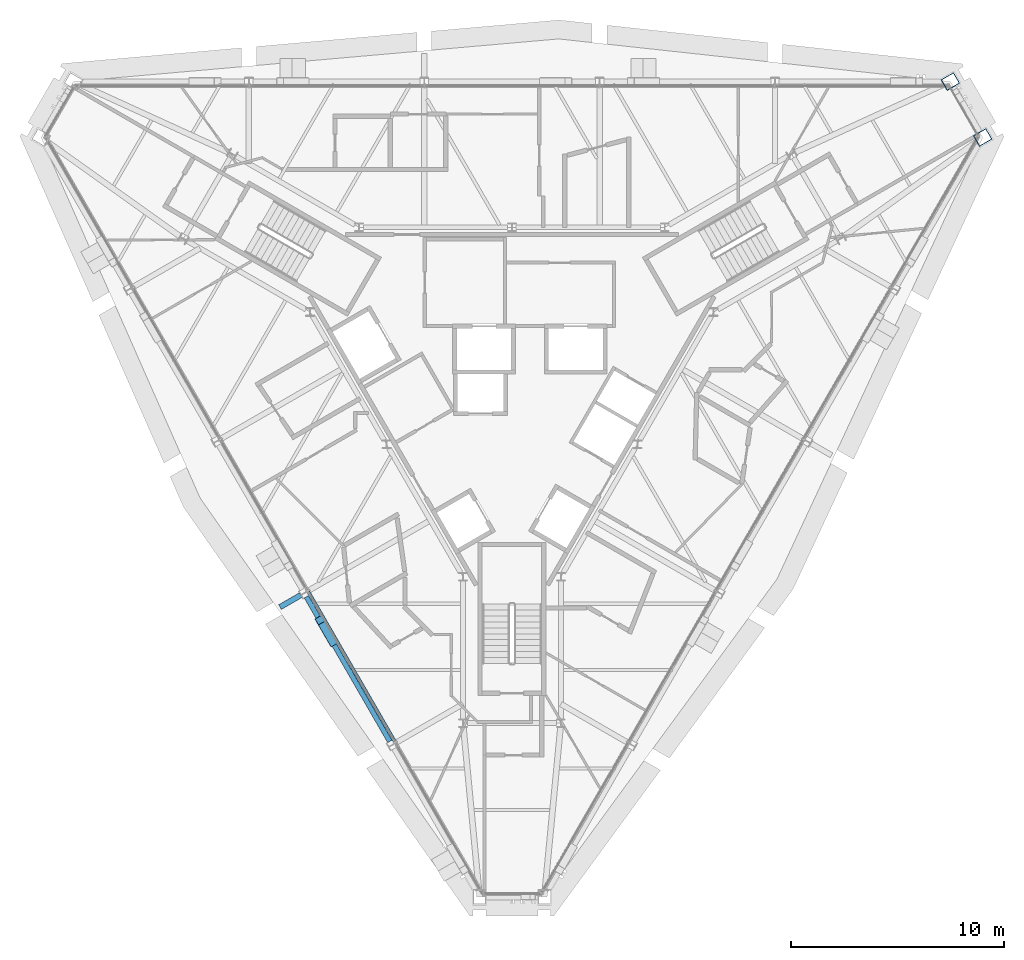
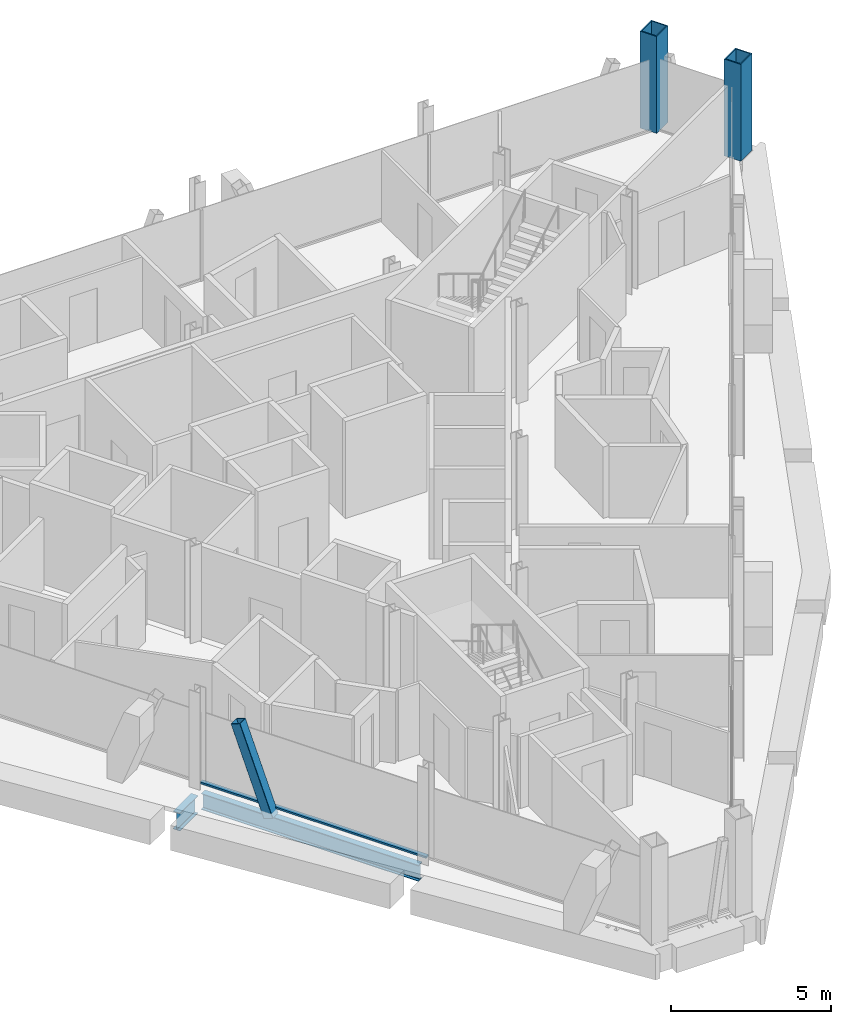
# One storey, part 2 of 13: 2 beams, 2 columns, 2 members, 1 element without a shape of its own.
"""IFC4 building model written with IfcOpenShell, lengths in metres."""

from ifc_helpers import new_model, si_unit, direction, frame, origin, origin_2d, place, context, subcontext, project, spatial, rectangle, hollow_rectangle, i_section, extrude, material, material_profile, profile_set, type_object, element, aggregate, save


model = new_model("IFC4")

# Units and contexts
model_context = context("Model", 3, precision=1e-05, world=origin(), true_north=direction((0.0, 1.0)))
body_context = subcontext(model_context, "Body", "Model", "MODEL_VIEW")
ifc_project = project(units=[si_unit("LENGTHUNIT", "METRE"), si_unit("AREAUNIT", "SQUARE_METRE"), si_unit("VOLUMEUNIT", "CUBIC_METRE"), si_unit("PLANEANGLEUNIT", "RADIAN"), si_unit("MASSUNIT", "GRAM", prefix="KILO")], contexts=[model_context])

# Site, building, storey
site_placement = place(None, origin())
site = spatial("IfcSite", under=ifc_project, at=site_placement, CompositionType="ELEMENT")
building_placement = place(site_placement, origin())
building = spatial("IfcBuilding", under=site, at=building_placement, Name="Verrane Prism Tower", CompositionType="ELEMENT")
storey_placement = place(building_placement, frame((0.0, 0.0, 278.800048828125)))
storey = spatial("IfcBuildingStorey", under=building, at=storey_placement, Name="L70", CompositionType="ELEMENT", Elevation=278.800048828125)

# Columns
ifc_material_1 = material(Name="Steel A572 Grade 50", Category="steel")
ifc_material_profile_1 = material_profile(ifc_material_1, hollow_rectangle(XDim=0.60009765625, YDim=0.699951171875, WallThickness=0.0400390625, at=origin_2d()), Name="BOX 700x600x40")
ifc_profile_set_1 = profile_set([ifc_material_profile_1], Name="Steel A572 Grade 50")
column_type = type_object("IfcColumnType", Name="Megacolumn BOX 700x600x40", PredefinedType="COLUMN", material=ifc_profile_set_1)
for number, where, z_axis, x_axis, name in (
    (1, (20.60009765625, 13.64990234375, 0.0), (0.0, 0.0, 1.0), (0.5, -0.866025403784, 0.0), "Megacolumn MC-NE.b L70"),
    (2, (22.1201171875, 11.02001953125, 0.0), (0.0, 0.0, 1.0), (0.5, -0.866025403784, 0.0), "Megacolumn MC-NE.a L70"),
):
    element("IfcColumn", number, at=place(storey_placement, frame(where, z_axis=z_axis, x_axis=x_axis)), inside=storey, type_object=column_type, Name=name, PredefinedType="COLUMN", context=body_context, shape_type="SweptSolid", body=[
        extrude(hollow_rectangle(XDim=0.60009765625, YDim=0.699951171875, WallThickness=0.0400390625, at=origin_2d()), origin(), (0.0, 0.0, 1.0), 3.699951171875),
    ])

# Member
ifc_material_2 = material(Name="Steel A500 Grade C", Category="steel")
ifc_material_profile_2 = material_profile(ifc_material_2, hollow_rectangle(XDim=0.355712890625, YDim=0.355712890625, WallThickness=0.0126953125, InnerFilletRadius=0.00634765625, OuterFilletRadius=0.01904296875, at=origin_2d()), Name="HSS14x14x1/2")
ifc_profile_set_2 = profile_set([ifc_material_profile_2], Name="Steel A500 Grade C")
member_type_1 = type_object("IfcMemberType", Name="Facade brace HSS14x14x1/2", PredefinedType="BRACE", material=ifc_profile_set_2)
member_1_placement = place(storey_placement, frame((-8.433349609375, -12.68896484375, -0.216796875), z_axis=(-0.17399901277, 0.301526684269, 0.937446532997), x_axis=(-0.86613421761, -0.499811481546, 0.0)))
element("IfcMember", 3, at=member_1_placement, inside=storey, type_object=member_type_1, Name="Facade brace SW3 L70", PredefinedType="BRACE", context=body_context, shape_type="SweptSolid", body=[
    extrude(hollow_rectangle(XDim=0.355712890625, YDim=0.355712890625, WallThickness=0.0126953125, InnerFilletRadius=0.00634765625, OuterFilletRadius=0.01904296875, at=origin_2d()), origin(), (0.0, 0.0, 1.0), 3.40966796875),
])

# Beams
ifc_material_3 = material(Name="Steel A992", Category="steel")
ifc_material_profile_3 = material_profile(ifc_material_3, i_section(OverallWidth=0.25390625, OverallDepth=0.683349609375, WebThickness=0.012451171875, FlangeThickness=0.01904296875, FilletRadius=0.01513671875, at=origin_2d()), Name="W27x94")
ifc_profile_set_3 = profile_set([ifc_material_profile_3], Name="Steel A992")
beam_type_1 = type_object("IfcBeamType", Name="Radial girder W27x94", PredefinedType="BEAM", material=ifc_profile_set_3)
beam_1_placement = place(storey_placement, frame((-9.919189453125, -10.48193359375, -0.561767578125), z_axis=(-0.866066817379, -0.499928262689, 0.0), x_axis=(0.499928262689, -0.866066817379, 0.0)))
element("IfcBeam", 4, at=beam_1_placement, inside=storey, type_object=beam_type_1, Name="Cantilever girder L70", PredefinedType="BEAM", context=body_context, shape_type="SweptSolid", body=[
    extrude(i_section(OverallWidth=0.25390625, OverallDepth=0.683349609375, WebThickness=0.012451171875, FlangeThickness=0.01904296875, FilletRadius=0.01513671875, at=origin_2d()), origin(), (0.0, 0.0, 1.0), 1.129638671875),
])
ifc_material_4 = material(Name="Steel A992", Category="steel")
ifc_material_profile_4 = material_profile(ifc_material_4, i_section(OverallWidth=0.23046875, OverallDepth=0.6171875, WebThickness=0.01318359375, FlangeThickness=0.022216796875, FilletRadius=0.012939453125, at=origin_2d()), Name="W24x94")
ifc_profile_set_4 = profile_set([ifc_material_profile_4], Name="Steel A992")
beam_type_2 = type_object("IfcBeamType", Name="Spandrel beam W24x94", PredefinedType="SPANDREL", material=ifc_profile_set_4)
beam_2_placement = place(storey_placement, frame((-9.66162109375, -10.560546875, -0.46875), z_axis=(0.499798737888, -0.866141571341, 0.0), x_axis=(0.866141571341, 0.499798737888, 0.0)))
element("IfcBeam", 5, at=beam_2_placement, inside=storey, type_object=beam_type_2, Name="Spandrel beam L70", PredefinedType="SPANDREL", context=body_context, shape_type="SweptSolid", body=[
    extrude(i_section(OverallWidth=0.23046875, OverallDepth=0.6171875, WebThickness=0.01318359375, FlangeThickness=0.022216796875, FilletRadius=0.012939453125, at=origin_2d()), origin(), (0.0, 0.0, 1.0), 7.849853515625),
])

# Curtain wall, member
ifc_material_5 = material(Name="Aluminium framed insulated glazing", Category="aluminium")
curtain_wall_type = type_object("IfcCurtainWallType", Name="Curtain wall CW-A 8400 module", PredefinedType="NOTDEFINED", material=ifc_material_5)
curtain_wall_placement = place(storey_placement, origin())
curtain_wall = element("IfcCurtainWall", 6, at=curtain_wall_placement, inside=storey, type_object=curtain_wall_type, Name="Glazed curtain wall south-west face L70", PredefinedType="NOTDEFINED")
ifc_material_6 = material(Name="Aluminium alloy 6063-T6", Category="aluminium")
ifc_material_profile_5 = material_profile(ifc_material_6, rectangle(XDim=0.14990234375, YDim=0.070068359375, at=origin_2d()), Name="Transom 70x150 aluminium")
ifc_profile_set_5 = profile_set([ifc_material_profile_5], Name="Aluminium alloy 6063-T6")
member_type_2 = type_object("IfcMemberType", Name="Transom 70x150 aluminium", PredefinedType="USERDEFINED", material=ifc_profile_set_5)
member_2_placement = place(storey_placement, frame((-9.573486328125, -10.3125, 0.034912109375), z_axis=(0.499993044538, -0.866029419485, 0.0), x_axis=(0.866029419485, 0.499993044538, 0.0)))
member_2 = element("IfcMember", 7, at=member_2_placement, type_object=member_type_2, Name="CW69.4 transom 4", ObjectType="TRANSOM", PredefinedType="USERDEFINED", context=body_context, shape_type="SweptSolid", body=[
    extrude(rectangle(XDim=0.14990234375, YDim=0.070068359375, at=origin_2d()), origin(), (0.0, 0.0, 1.0), 8.1484375),
])
aggregate(curtain_wall, [member_2])

save(model, "model.ifc")
